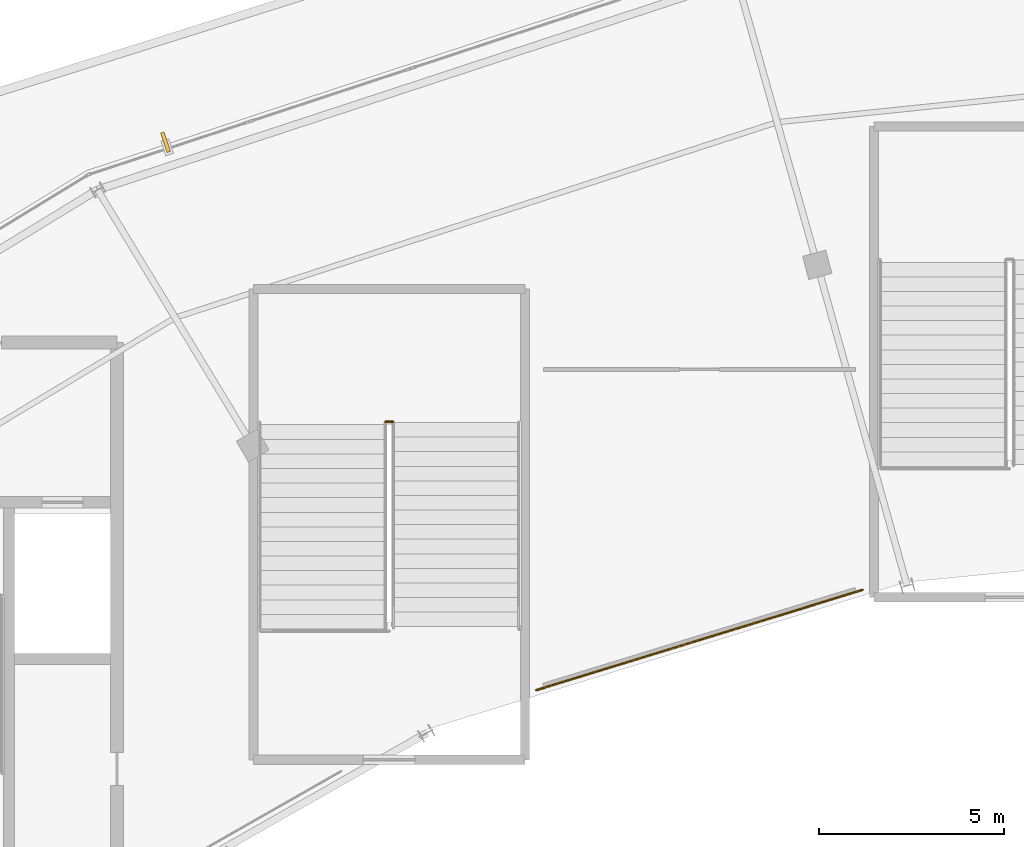
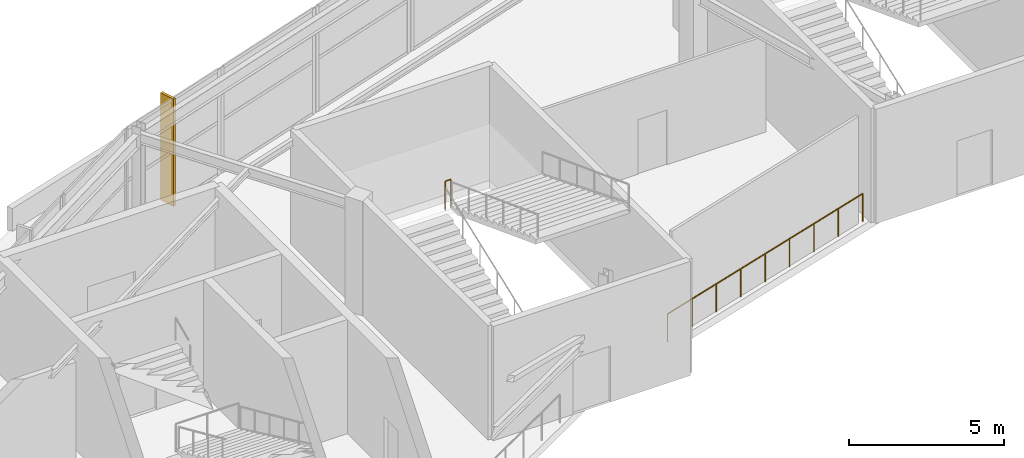
# One storey, part 122 of 126: 2 railings, 1 shading device.
"""IFC4 building model written with IfcOpenShell, lengths in metres."""

from ifc_helpers import new_model, si_unit, direction, frame, origin, origin_2d, place, context, subcontext, project, spatial, rectangle, circle, extrude, material, layer, layer_set, type_object, element, save


model = new_model("IFC4")

# Units and contexts
model_context = context("Model", 3, precision=1e-05, world=origin(), true_north=direction((0.0, 1.0)))
body_context = subcontext(model_context, "Body", "Model", "MODEL_VIEW")
ifc_project = project(units=[si_unit("LENGTHUNIT", "METRE"), si_unit("AREAUNIT", "SQUARE_METRE"), si_unit("VOLUMEUNIT", "CUBIC_METRE"), si_unit("PLANEANGLEUNIT", "RADIAN"), si_unit("MASSUNIT", "GRAM", prefix="KILO")], contexts=[model_context])

# Site, building, storey
site_placement = place(None, origin())
site = spatial("IfcSite", under=ifc_project, at=site_placement, CompositionType="ELEMENT")
building_placement = place(site_placement, origin())
building = spatial("IfcBuilding", under=site, at=building_placement, Name="Kalgoora Escarpment Arena", CompositionType="ELEMENT")
storey_placement = place(building_placement, frame((0.0, 0.0, 18.89990234375)))
storey = spatial("IfcBuildingStorey", under=building, at=storey_placement, Name="L04", CompositionType="ELEMENT", Elevation=18.89990234375)

# Railings
ifc_material_1 = material(Name="Galvanised & powdercoated tubular steel", Category="steel")
railing_type = type_object("IfcRailingType", Name="RAL-GUARD-1120", PredefinedType="GUARDRAIL", material=ifc_material_1)
railing_1_placement = place(storey_placement, frame((64.294921875, 107.080078125, 2.25)))
element("IfcRailing", 1, at=railing_1_placement, inside=storey, type_object=railing_type, Name="ST09 L04 half-landing well guard", PredefinedType="GUARDRAIL", context=body_context, shape_type="SweptSolid", body=[
    extrude(circle(Radius=0.02392578125, at=origin_2d()), frame((0.0, 0.0, 1.09619140625), z_axis=(1.0, 0.0, 0.0), x_axis=(0.0, 1.0, 0.0)), (0.0, 0.0, 1.0), 0.2099609375),
    extrude(circle(Radius=0.02099609375, at=origin_2d()), origin(), (0.0, 0.0, 1.0), 1.072021484375),
    extrude(circle(Radius=0.02099609375, at=origin_2d()), frame((0.2099609375, 0.0, 0.0)), (0.0, 0.0, 1.0), 1.072021484375),
])
railing_2_placement = place(storey_placement, frame((77.219970703125, 102.5283203125, 0.0)))
element("IfcRailing", 2, at=railing_2_placement, inside=storey, type_object=railing_type, Name="L04 concourse bowl balustrade 08", PredefinedType="GUARDRAIL", context=body_context, shape_type="SweptSolid", body=[
    extrude(circle(Radius=0.02392578125, at=origin_2d()), frame((0.0, 0.0, 1.09619140625), z_axis=(-0.955884543457, -0.293742641748, 0.0), x_axis=(0.293742641748, -0.955884543457, 0.0)), (0.0, 0.0, 1.0), 9.248046875),
    extrude(circle(Radius=0.02099609375, at=origin_2d()), origin(), (0.0, 0.0, 1.0), 1.072021484375),
    extrude(circle(Radius=0.02099609375, at=origin_2d()), frame((-1.10498046875, -0.339599609375, 0.0)), (0.0, 0.0, 1.0), 1.072021484375),
    extrude(circle(Radius=0.02099609375, at=origin_2d()), frame((-2.2099609375, -0.67919921875, 0.0)), (0.0, 0.0, 1.0), 1.072021484375),
    extrude(circle(Radius=0.02099609375, at=origin_2d()), frame((-3.31494140625, -1.018798828125, 0.0)), (0.0, 0.0, 1.0), 1.072021484375),
    extrude(circle(Radius=0.02099609375, at=origin_2d()), frame((-4.419921875, -1.3583984375, 0.0)), (0.0, 0.0, 1.0), 1.072021484375),
    extrude(circle(Radius=0.02099609375, at=origin_2d()), frame((-5.525146484375, -1.69775390625, 0.0)), (0.0, 0.0, 1.0), 1.072021484375),
    extrude(circle(Radius=0.02099609375, at=origin_2d()), frame((-6.630126953125, -2.037353515625, 0.0)), (0.0, 0.0, 1.0), 1.072021484375),
    extrude(circle(Radius=0.02099609375, at=origin_2d()), frame((-7.735107421875, -2.376953125, 0.0)), (0.0, 0.0, 1.0), 1.072021484375),
    extrude(circle(Radius=0.02099609375, at=origin_2d()), frame((-8.840087890625, -2.716552734375, 0.0)), (0.0, 0.0, 1.0), 1.072021484375),
])

# Shading device
ifc_material_2 = material(Name="Champagne anodised extruded aluminium", Category="aluminium")
ifc_layer = layer(ifc_material_2, 0.080078125)
ifc_layer_set = layer_set([ifc_layer], Name="SHD-FIN-CHAMP")
shading_device_type = type_object("IfcShadingDeviceType", Name="SHD-FIN-CHAMP", PredefinedType="USERDEFINED", material=ifc_layer_set)
shading_device_placement = place(storey_placement, frame((58.340087890625, 114.651611328125, 0.0), z_axis=(0.0, 0.0, 1.0), x_axis=(-0.312998047948, 0.949753769132, 0.0)))
element("IfcShadingDevice", 3, at=shading_device_placement, inside=storey, type_object=shading_device_type, Name="L04 champagne anodised solar fin 32", ObjectType="FIN", PredefinedType="USERDEFINED", context=body_context, shape_type="SweptSolid", body=[
    extrude(rectangle(XDim=0.56005859375, YDim=0.10009765625, at=origin_2d()), origin(), (0.0, 0.0, 1.0), 4.219970703125),
])

save(model, "model.ifc")
